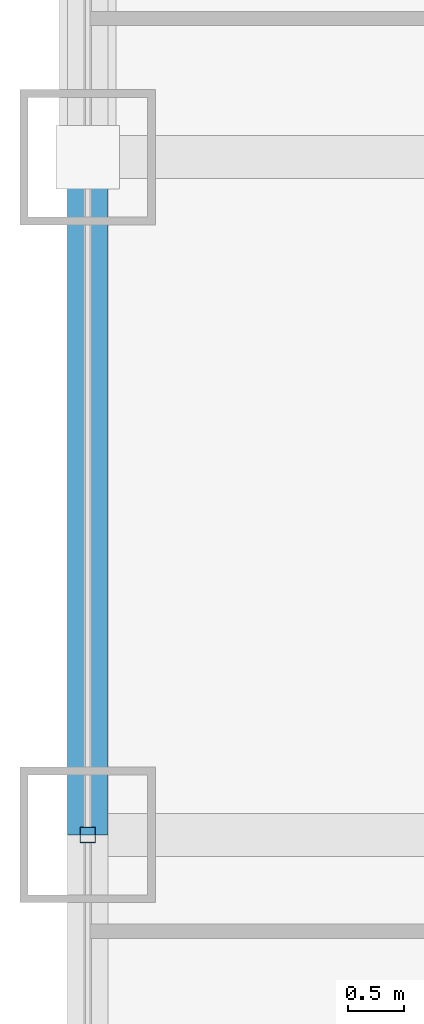
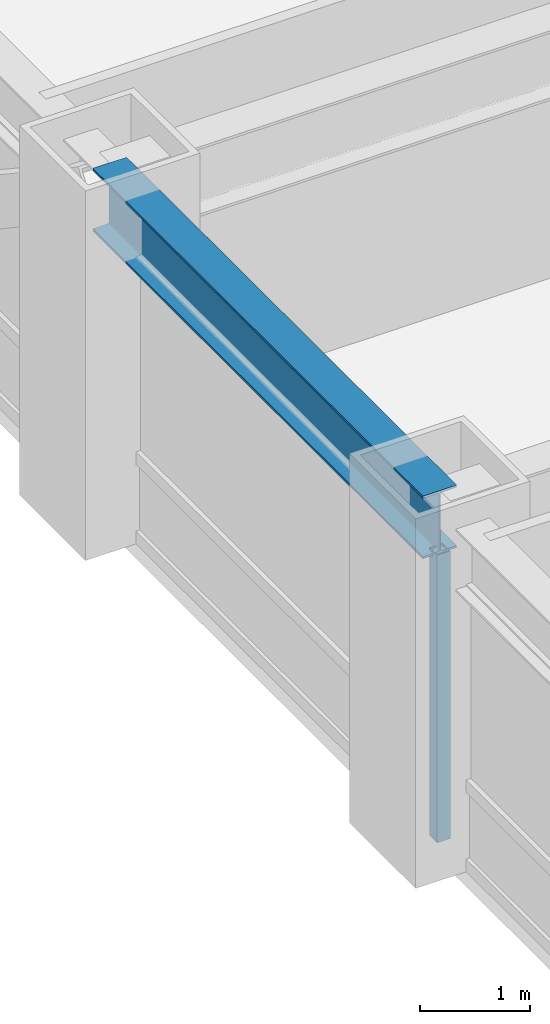
# One storey, part 8 of 32: 1 beam, 1 member, 1 element without a shape of its own.
"""IFC4 building model written with IfcOpenShell, lengths in metres."""

import ifcopenshell
import ifcopenshell.guid

model = None  # the IFC model being written
_history = None  # IfcOwnerHistory: only IFC2X3 demands one
_inside = {}  # id of a spatial element -> (the spatial element, [elements in it])
_under = {}  # id of a project, library or spatial element -> (it, [spatial elements below it])
_declared = {}  # id of a project -> (the project, [libraries it declares])
_typed = {}  # id of a type object -> (the type object, [elements of that type])
_made_of = {}  # id of a material, layer set ... -> (it, [elements and type objects made of it])


def new_model(schema):
    """Start an empty IFC model of exactly this schema.

    Asked for "IFC4X3", IfcOpenShell would pick the latest addendum, in which some entities
    have other attributes; the version numbers below select the first issue.
    IFC2X3 requires an IfcOwnerHistory on every rooted entity: one is made here for all.
    """
    global model, _history
    if schema == "IFC4X3":
        model = ifcopenshell.file(schema_version=(4, 3, 0, 0))
    else:
        model = ifcopenshell.file(schema=schema)
    _inside.clear()
    _under.clear()
    _declared.clear()
    _typed.clear()
    _made_of.clear()
    _history = None
    if model.schema == "IFC2X3":
        org = make("IfcOrganization", Name="unknown")
        user = make(
            "IfcPersonAndOrganization",
            ThePerson=make("IfcPerson", FamilyName="unknown"),
            TheOrganization=org,
        )
        app = make(
            "IfcApplication",
            ApplicationDeveloper=org,
            Version="unknown",
            ApplicationFullName="unknown",
            ApplicationIdentifier="unknown",
        )
        _history = make(
            "IfcOwnerHistory",
            OwningUser=user,
            OwningApplication=app,
            ChangeAction="ADDED",
            CreationDate=0,
        )
    return model


def make(cls, **values):
    """One entity of the class cls with the attributes given. An attribute that is None is left unset."""
    return model.create_entity(
        cls, **{name: value for name, value in values.items() if value is not None}
    )


def rooted(cls, **values):
    """An entity with a GlobalId (a new one), such as an element, a storey or a relation."""
    return make(cls, GlobalId=ifcopenshell.guid.new(), OwnerHistory=_history, **values)


def si_unit(unit_type, name, prefix=None):
    """IfcSIUnit, for example si_unit("LENGTHUNIT", "METRE", prefix="MILLI")."""
    return make("IfcSIUnit", UnitType=unit_type, Prefix=prefix, Name=name)


def assignment(units):
    """IfcUnitAssignment: the units of a project."""
    return None if units is None else make("IfcUnitAssignment", Units=units)


def point(xyz):
    """IfcCartesianPoint."""
    return None if xyz is None else make("IfcCartesianPoint", Coordinates=xyz)


def direction(xyz):
    """IfcDirection."""
    return None if xyz is None else make("IfcDirection", DirectionRatios=xyz)


def frame(location, z_axis=None, x_axis=None):
    """IfcAxis2Placement3D, a coordinate frame: its origin and axes. An axis left out is left unset."""
    return make(
        "IfcAxis2Placement3D",
        Location=point(location),
        Axis=direction(z_axis),
        RefDirection=direction(x_axis),
    )


def frame_2d(location, x_axis=None):
    """IfcAxis2Placement2D, a coordinate frame in the plane: its origin and x axis."""
    return make(
        "IfcAxis2Placement2D", Location=point(location), RefDirection=direction(x_axis)
    )


def origin():
    """The frame at (0, 0, 0) with its axes left unset."""
    return frame((0.0, 0.0, 0.0))


def origin_2d():
    """The frame at (0, 0) in the plane with its x axis left unset."""
    return frame_2d((0.0, 0.0))


def place(relative_to, where):
    """IfcLocalPlacement: puts the frame where relative to a parent placement (None: the world)."""
    return make(
        "IfcLocalPlacement", PlacementRelTo=relative_to, RelativePlacement=where
    )


def context(
    kind, dimensions, precision=None, world=None, true_north=None, identifier=None
):
    """IfcGeometricRepresentationContext, for example the 3D "Model" context."""
    return make(
        "IfcGeometricRepresentationContext",
        ContextIdentifier=identifier,
        ContextType=kind,
        CoordinateSpaceDimension=dimensions,
        Precision=precision,
        WorldCoordinateSystem=world,
        TrueNorth=true_north,
    )


def subcontext(parent, identifier, kind, view, scale=None):
    """IfcGeometricRepresentationSubContext, for example "Body" below "Model"."""
    return make(
        "IfcGeometricRepresentationSubContext",
        ContextIdentifier=identifier,
        ContextType=kind,
        ParentContext=parent,
        TargetScale=scale,
        TargetView=view,
    )


def project(units=None, contexts=None):
    """IfcProject with its units and contexts."""
    return rooted(
        "IfcProject",
        Name="project",
        RepresentationContexts=contexts,
        UnitsInContext=assignment(units),
    )


def spatial(cls, under=None, at=None, **own):
    """A site, building, storey or space (cls), placed at a placement, below another one or the project."""
    s = rooted(cls, ObjectPlacement=at, **own)
    if under is not None:
        _under.setdefault(under.id(), (under, []))[1].append(s)
    return s


def profile(cls, at=None, kind="AREA", **sizes):
    """A parametric profile (cls). Its sizes go by their IFC names, for example OverallWidth=200.0."""
    return make(cls, ProfileType=kind, Position=at, **sizes)


def hollow_rectangle(**sizes):
    """IfcRectangleHollowProfileDef."""
    return profile("IfcRectangleHollowProfileDef", **sizes)


def i_section(**sizes):
    """IfcIShapeProfileDef."""
    return profile("IfcIShapeProfileDef", **sizes)


def extrude(swept, where, along, depth):
    """IfcExtrudedAreaSolid: the profile swept, set in the frame where, extruded along a direction by depth."""
    return make(
        "IfcExtrudedAreaSolid",
        SweptArea=swept,
        Position=where,
        ExtrudedDirection=direction(along),
        Depth=depth,
    )


def shape(context_of_items, identifier, shape_type, items):
    """IfcShapeRepresentation: the items that make up one representation, for example the "Body"."""
    return make(
        "IfcShapeRepresentation",
        ContextOfItems=context_of_items,
        RepresentationIdentifier=identifier,
        RepresentationType=shape_type,
        Items=items,
    )


def source(mapping_origin, context_of_items, identifier, shape_type, items):
    """IfcRepresentationMap: a shape defined once, which mapped items show again and again."""
    return make(
        "IfcRepresentationMap",
        MappingOrigin=mapping_origin,
        MappedRepresentation=shape(context_of_items, identifier, shape_type, items),
    )


def transform(
    local_origin,
    x_axis=None,
    y_axis=None,
    z_axis=None,
    scale=None,
    scale2=None,
    scale3=None,
    uniform=True,
):
    """IfcCartesianTransformationOperator3D, or its non-uniform kind. x_axis, y_axis, z_axis: its Axis1, 2, 3."""
    if uniform:
        return make(
            "IfcCartesianTransformationOperator3D",
            Axis1=direction(x_axis),
            Axis2=direction(y_axis),
            LocalOrigin=point(local_origin),
            Scale=scale,
            Axis3=direction(z_axis),
        )
    return make(
        "IfcCartesianTransformationOperator3DnonUniform",
        Axis1=direction(x_axis),
        Axis2=direction(y_axis),
        LocalOrigin=point(local_origin),
        Scale=scale,
        Axis3=direction(z_axis),
        Scale2=scale2,
        Scale3=scale3,
    )


def mapped(mapping_source, mapping_target):
    """IfcMappedItem: shows the shape of a source again, moved by a transform."""
    return make(
        "IfcMappedItem", MappingSource=mapping_source, MappingTarget=mapping_target
    )


def material(Name=None, Category=None):
    """IfcMaterial."""
    return make("IfcMaterial", Name=Name, Category=Category)


def material_profile(
    of_material, cross_section, Name=None, Category=None, Priority=None
):
    """IfcMaterialProfile: a cross section and its material."""
    return make(
        "IfcMaterialProfile",
        Name=Name,
        Material=of_material,
        Profile=cross_section,
        Priority=Priority,
        Category=Category,
    )


def profile_set(profiles, Name=None, composite=None):
    """IfcMaterialProfileSet."""
    return make(
        "IfcMaterialProfileSet",
        Name=Name,
        MaterialProfiles=profiles,
        CompositeProfile=composite,
    )


def made_of(thing, what):
    """Note that an element or type object is made of a material, layer set ...; save() writes the relation."""
    if what is not None:
        _made_of.setdefault(what.id(), (what, []))[1].append(thing)
    return thing


def type_object(cls, material=None, **own):
    """A type object (cls), such as IfcWallType, which elements share."""
    return made_of(rooted(cls, **own), material)


def element(
    cls,
    number,
    at=None,
    inside=None,
    cuts=None,
    type_object=None,
    material=None,
    context=None,
    identifier="Body",
    shape_type=None,
    held_by="IfcProductDefinitionShape",
    body=None,
    shapes=None,
    **own,
):
    """One element of the class cls, such as IfcWall. Its Tag is "e" and its number.

    at: its placement. inside: the storey or other place that contains it. cuts: it is an
    opening in that element (IfcRelVoidsElement). A single representation is given by context,
    identifier, shape_type and body (its items); several are given by shapes. held_by: the class
    of the entity that holds the representations. save() writes the other relations.
    """
    e = rooted(cls, Tag="e%d" % number, ObjectPlacement=at, **own)
    if body is not None:
        shapes = [shape(context, identifier, shape_type, body)]
    if shapes is not None:
        e.Representation = make(held_by, Representations=shapes)
    if inside is not None:
        _inside.setdefault(inside.id(), (inside, []))[1].append(e)
    if cuts is not None:
        rooted(
            "IfcRelVoidsElement", RelatingBuildingElement=cuts, RelatedOpeningElement=e
        )
    if type_object is not None:
        _typed.setdefault(type_object.id(), (type_object, []))[1].append(e)
    return made_of(e, material)


def aggregate(whole, parts):
    """IfcRelAggregates: a whole, such as a stair, and the parts it consists of."""
    return rooted("IfcRelAggregates", RelatingObject=whole, RelatedObjects=parts)


def save(model, path):
    """Write the relations noted so far, then the file.

    IfcRelAggregates (storeys below a building ...), IfcRelContainedInSpatialStructure (elements
    in a storey), IfcRelDefinesByType, IfcRelAssociatesMaterial and IfcRelDeclares: one each for
    every whole, place, type object, material and project.
    """
    for whole, parts in _under.values():
        aggregate(whole, parts)
    for where, things in _inside.values():
        rooted(
            "IfcRelContainedInSpatialStructure",
            RelatedElements=things,
            RelatingStructure=where,
        )
    for kind, things in _typed.values():
        rooted("IfcRelDefinesByType", RelatedObjects=things, RelatingType=kind)
    for what, things in _made_of.values():
        rooted("IfcRelAssociatesMaterial", RelatedObjects=things, RelatingMaterial=what)
    for by, libraries in _declared.values():
        rooted("IfcRelDeclares", RelatingContext=by, RelatedDefinitions=libraries)
    model.write(path)


model = new_model("IFC4")

# Units and contexts
model_context = context("Model", 3, precision=1e-05, world=origin(), true_north=direction((0.0, 1.0)))
body_context = subcontext(model_context, "Body", "Model", "MODEL_VIEW")
ifc_project = project(units=[si_unit("LENGTHUNIT", "METRE"), si_unit("AREAUNIT", "SQUARE_METRE"), si_unit("VOLUMEUNIT", "CUBIC_METRE"), si_unit("PLANEANGLEUNIT", "RADIAN"), si_unit("MASSUNIT", "GRAM", prefix="KILO")], contexts=[model_context])

# Site, building, storey
site_placement = place(None, origin())
site = spatial("IfcSite", under=ifc_project, at=site_placement, CompositionType="ELEMENT")
building_placement = place(site_placement, origin())
building = spatial("IfcBuilding", under=site, at=building_placement, Name="Khorayat Bourse Tower", CompositionType="ELEMENT")
storey_placement = place(building_placement, frame((0.0, 0.0, 95.5)))
storey = spatial("IfcBuildingStorey", under=building, at=storey_placement, Name="L21", CompositionType="ELEMENT", Elevation=95.5)

# Beam
ifc_material_1 = material(Name="Steel ASTM A992 Grade 50", Category="steel")
ifc_material_profile_1 = material_profile(ifc_material_1, i_section(OverallWidth=0.35498046875, OverallDepth=0.695068359375, WebThickness=0.015380859375, FlangeThickness=0.02490234375, FilletRadius=0.01806640625, at=origin_2d()), Name="W690X217")
ifc_profile_set_1 = profile_set([ifc_material_profile_1], Name="Steel ASTM A992 Grade 50")
beam_type = type_object("IfcBeamType", Name="BM-SPAN-690", PredefinedType="SPANDREL", material=ifc_profile_set_1)
shared_shape_1 = source(origin(), body_context, "Body", "SweptSolid", [
    extrude(i_section(OverallWidth=0.35498046875, OverallDepth=0.695068359375, WebThickness=0.015380859375, FlangeThickness=0.02490234375, FilletRadius=0.01806640625, at=origin_2d()), origin(), (0.0, 0.0, 1.0), 6.0),
])
beam_placement = place(storey_placement, frame((-32.0, 0.0, 3.492431640625), z_axis=(0.0, 1.0, 0.0), x_axis=(-1.0, 0.0, 0.0)))
element("IfcBeam", 1, at=beam_placement, inside=storey, type_object=beam_type, Name="L21 BM-SPAN-690 BM-L21-SPN-057", PredefinedType="SPANDREL", context=body_context, shape_type="MappedRepresentation", body=[
    mapped(shared_shape_1, transform((0.0, 0.0, 0.0), scale=1.0)),
])

# Curtain wall, member
ifc_material_2 = material(Name="Aluminium EN AW-6063 T6", Category="aluminium")
curtain_wall_type = type_object("IfcCurtainWallType", Name="CW-SYS-02", PredefinedType="NOTDEFINED", material=ifc_material_2)
curtain_wall_placement = place(storey_placement, origin())
curtain_wall = element("IfcCurtainWall", 2, at=curtain_wall_placement, inside=storey, type_object=curtain_wall_type, Name="L21 Curtain Wall CW-L21-W1", PredefinedType="NOTDEFINED")
ifc_material_profile_2 = material_profile(ifc_material_2, hollow_rectangle(XDim=0.139892578125, YDim=0.139892578125, WallThickness=0.006103515625, at=origin_2d()), Name="ALU 140x140x6")
ifc_profile_set_2 = profile_set([ifc_material_profile_2], Name="Aluminium EN AW-6063 T6")
member_type = type_object("IfcMemberType", Name="CWM-VERT-140", PredefinedType="MULLION", material=ifc_profile_set_2)
shared_shape_2 = source(origin(), body_context, "Body", "SweptSolid", [
    extrude(hollow_rectangle(XDim=0.139892578125, YDim=0.139892578125, WallThickness=0.006103515625, at=origin_2d()), origin(), (0.0, 0.0, 1.0), 3.18994140625),
])
member_placement = place(storey_placement, frame((-32.0, 0.0, 0.0), z_axis=(0.0, 0.0, 1.0), x_axis=(-1.0, 0.0, 0.0)))
member = element("IfcMember", 3, at=member_placement, type_object=member_type, Name="CW-L21-W1 Vertical Mullion 2", PredefinedType="MULLION", context=body_context, shape_type="MappedRepresentation", body=[
    mapped(shared_shape_2, transform((0.0, 0.0, 0.0), scale=1.0)),
])
aggregate(curtain_wall, [member])

save(model, "model.ifc")
